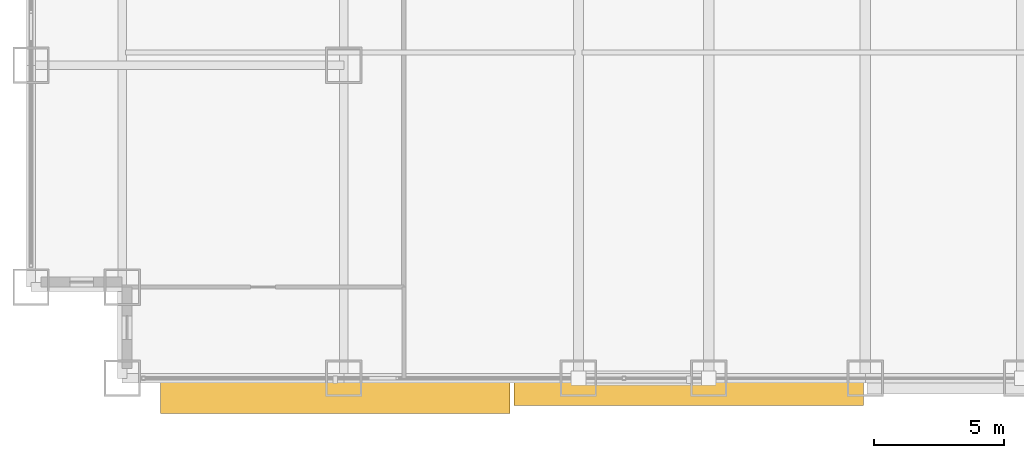
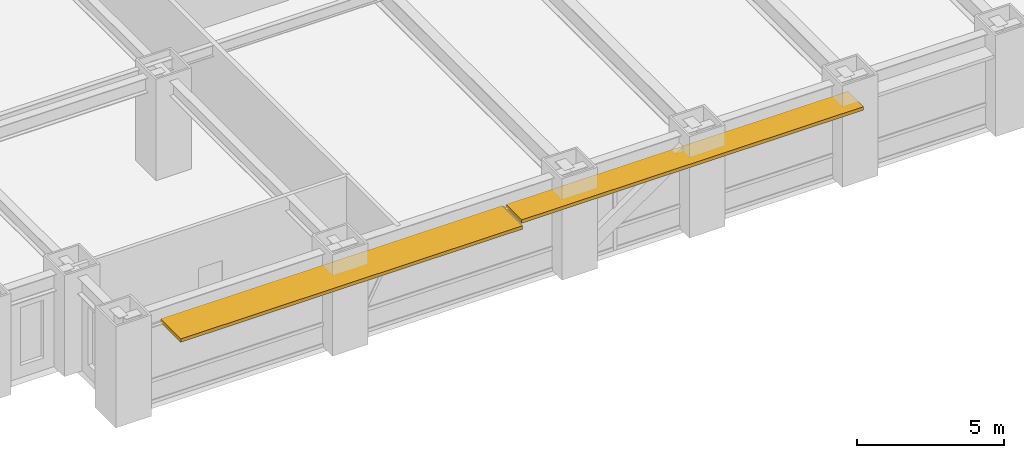
# One storey, part 27 of 31: 2 shading devices.
"""IFC4 building model written with IfcOpenShell, lengths in metres."""

from ifc_helpers import new_model, si_unit, direction, frame, origin, origin_2d, place, context, subcontext, project, spatial, rectangle, extrude, source, transform, mapped, material, layer, layer_set, type_object, element, save


model = new_model("IFC4")

# Units and contexts
model_context = context("Model", 3, precision=1e-05, world=origin(), true_north=direction((0.0, 1.0)))
body_context = subcontext(model_context, "Body", "Model", "MODEL_VIEW")
ifc_project = project(units=[si_unit("LENGTHUNIT", "METRE"), si_unit("AREAUNIT", "SQUARE_METRE"), si_unit("VOLUMEUNIT", "CUBIC_METRE"), si_unit("PLANEANGLEUNIT", "RADIAN"), si_unit("MASSUNIT", "GRAM", prefix="KILO")], contexts=[model_context])

# Site, building, storey
site_placement = place(None, origin())
site = spatial("IfcSite", under=ifc_project, at=site_placement, CompositionType="ELEMENT")
building_placement = place(site_placement, origin())
building = spatial("IfcBuilding", under=site, at=building_placement, Name="Khorayat Bourse Tower", CompositionType="ELEMENT")
storey_placement = place(building_placement, frame((0.0, 0.0, 32.60009765625)))
storey = spatial("IfcBuildingStorey", under=building, at=storey_placement, Name="L06", CompositionType="ELEMENT", Elevation=32.60009765625)

# Shading devices
ifc_material = material(Name="Precast concrete C45/55", Category="concrete")
ifc_layer = layer(ifc_material, 0.139892578125)
ifc_layer_set = layer_set([ifc_layer], Name="Precast concrete C45/55")
shading_device_type = type_object("IfcShadingDeviceType", Name="SHD-WAVE-TRAY-B", PredefinedType="USERDEFINED", material=ifc_layer_set)
shared_shape_1 = source(origin(), body_context, "Body", "SweptSolid", [
    extrude(rectangle(XDim=13.409912109375, YDim=1.375244140625, at=origin_2d()), origin(), (0.0, 0.0, 1.0), 0.139892578125),
])
shading_device_1_placement = place(storey_placement, frame((-20.324951171875, -32.667724609375, 3.18994140625), z_axis=(0.0, 0.0, 1.0), x_axis=(1.0, 0.0, 0.0)))
element("IfcShadingDevice", 1, at=shading_device_1_placement, inside=storey, type_object=shading_device_type, Name="L06 Sinusoidal Wave Sunshade Tray S-1", ObjectType="SUNSHADE", PredefinedType="USERDEFINED", context=body_context, shape_type="MappedRepresentation", body=[
    mapped(shared_shape_1, transform((0.0, 0.0, 0.0), scale=1.0)),
])
shared_shape_2 = source(origin(), body_context, "Body", "SweptSolid", [
    extrude(rectangle(XDim=13.409912109375, YDim=1.058349609375, at=origin_2d()), origin(), (0.0, 0.0, 1.0), 0.139892578125),
])
shading_device_2_placement = place(storey_placement, frame((-6.77490234375, -32.50927734375, 3.18994140625), z_axis=(0.0, 0.0, 1.0), x_axis=(1.0, 0.0, 0.0)))
element("IfcShadingDevice", 2, at=shading_device_2_placement, inside=storey, type_object=shading_device_type, Name="L06 Sinusoidal Wave Sunshade Tray S-2", ObjectType="SUNSHADE", PredefinedType="USERDEFINED", context=body_context, shape_type="MappedRepresentation", body=[
    mapped(shared_shape_2, transform((0.0, 0.0, 0.0), scale=1.0)),
])

save(model, "model.ifc")
